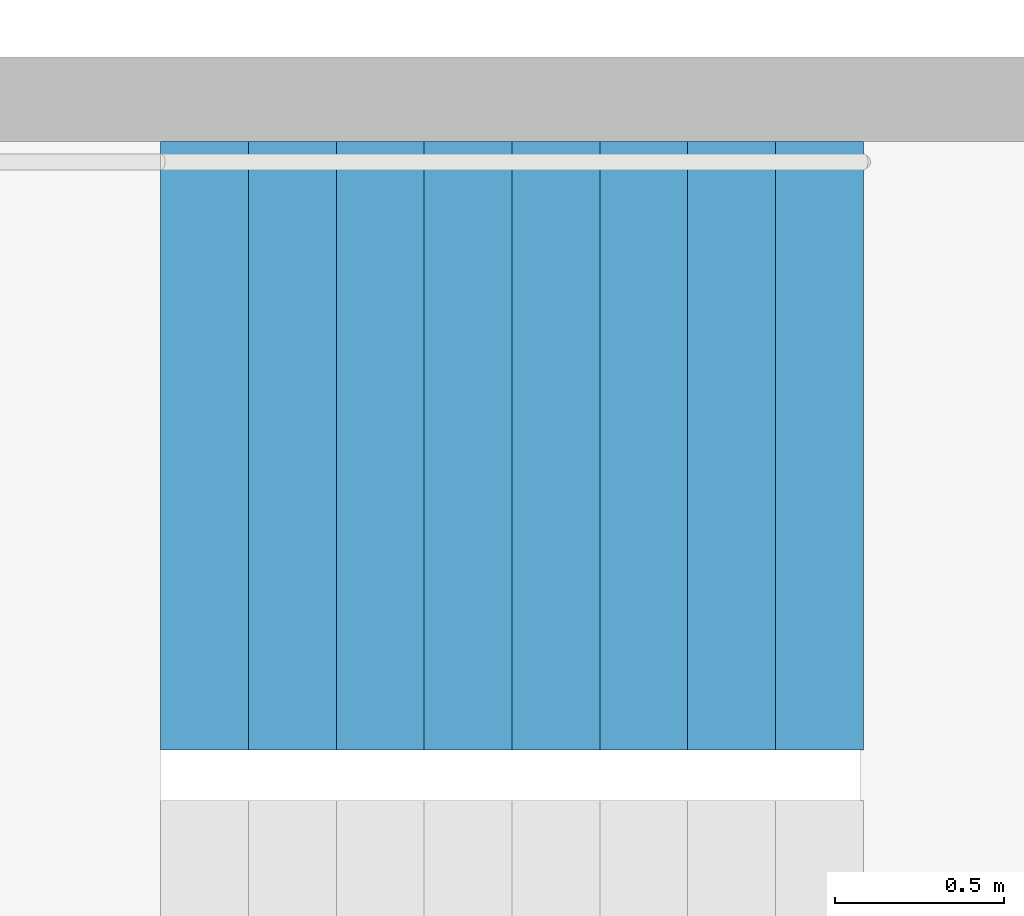
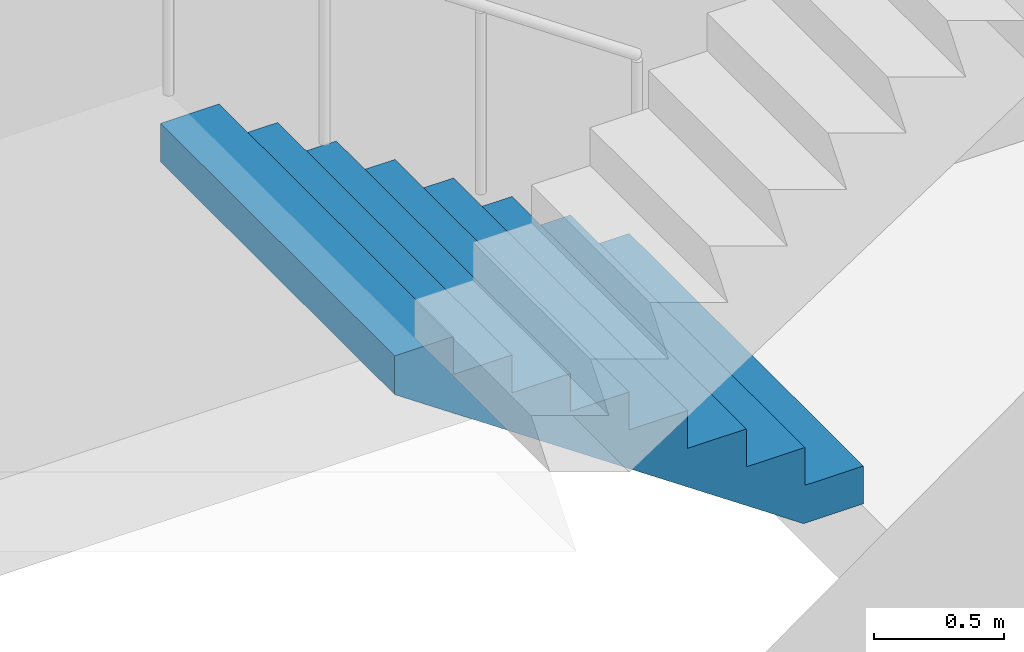
# One storey, part 19 of 26: 1 stair flight, 1 element without a shape of its own.
"""IFC4 building model written with IfcOpenShell, lengths in metres."""

from ifc_helpers import new_model, si_unit, direction, frame, origin, place, context, subcontext, project, spatial, triangles, material, type_object, element, aggregate, save


model = new_model("IFC4")

# Units and contexts
model_context = context("Model", 3, precision=1e-05, world=origin(), true_north=direction((0.0, 1.0)))
body_context = subcontext(model_context, "Body", "Model", "MODEL_VIEW")
ifc_project = project(units=[si_unit("LENGTHUNIT", "METRE"), si_unit("AREAUNIT", "SQUARE_METRE"), si_unit("VOLUMEUNIT", "CUBIC_METRE"), si_unit("PLANEANGLEUNIT", "RADIAN"), si_unit("MASSUNIT", "GRAM", prefix="KILO")], contexts=[model_context])

# Site, building, storey
site_placement = place(None, origin())
site = spatial("IfcSite", under=ifc_project, at=site_placement, CompositionType="ELEMENT")
building_placement = place(site_placement, origin())
building = spatial("IfcBuilding", under=site, at=building_placement, Name="Hakoniwa Tower and Hamabe Station Hall", CompositionType="ELEMENT")
storey_placement = place(building_placement, frame((0.0, 0.0, 131.0)))
storey = spatial("IfcBuildingStorey", under=building, at=storey_placement, Name="L36", CompositionType="ELEMENT", Elevation=131.0)

# Stair, stair flight
ifc_material_1 = material(Name="Concrete C40", Category="concrete")
stair_type = type_object("IfcStairType", Name="ESCAPE STAIR 1800", PredefinedType="HALF_TURN_STAIR", material=ifc_material_1)
stair_placement = place(storey_placement, origin())
stair = element("IfcStair", 1, at=stair_placement, inside=storey, type_object=stair_type, Name="Escape stair ST-2 L36", PredefinedType="HALF_TURN_STAIR")
ifc_material_2 = material(Name="Concrete C40", Category="concrete")
stair_flight_type = type_object("IfcStairFlightType", Name="STAIR FLIGHT 1800", PredefinedType="STRAIGHT", material=ifc_material_2)
stair_flight_placement = place(storey_placement, frame((-23.39990234375, -4.64990234375, 0.0), z_axis=(0.0, 0.0, 1.0), x_axis=(-1.0, 0.0, 0.0)))
stair_flight = element("IfcStairFlight", 2, at=stair_flight_placement, type_object=stair_flight_type, Name="ST-2 flight 1", NumberOfRisers=9, NumberOfTreads=8, PredefinedType="STRAIGHT", RiserHeight=0.177777778, TreadLength=0.26, context=body_context, shape_type="Tessellation", body=[
    triangles([(0.0, 0.89990234375, 0.0), (0.260009765625, 0.89990234375, 0.0), (0.265625, 0.89990234375, 0.0), (0.52001953125, 0.89990234375, 0.174072265625), (0.780029296875, 0.89990234375, 0.351806640625), (1.0400390625, 0.89990234375, 0.529541015625), (1.300048828125, 0.89990234375, 0.707275390625), (1.56005859375, 0.89990234375, 0.885009765625), (1.820068359375, 0.89990234375, 1.062744140625), (2.080078125, 0.89990234375, 1.24072265625), (2.080078125, 0.89990234375, 1.422119140625), (1.820068359375, 0.89990234375, 1.422119140625), (1.820068359375, 0.89990234375, 1.244384765625), (1.56005859375, 0.89990234375, 1.244384765625), (1.56005859375, 0.89990234375, 1.066650390625), (1.300048828125, 0.89990234375, 1.066650390625), (1.300048828125, 0.89990234375, 0.888916015625), (1.0400390625, 0.89990234375, 0.888916015625), (1.0400390625, 0.89990234375, 0.711181640625), (0.780029296875, 0.89990234375, 0.711181640625), (0.780029296875, 0.89990234375, 0.533447265625), (0.52001953125, 0.89990234375, 0.533447265625), (0.52001953125, 0.89990234375, 0.35546875), (0.265625, 0.89990234375, 0.35546875), (0.260009765625, 0.89990234375, 0.35546875), (0.260009765625, 0.89990234375, 0.177734375), (0.0, 0.89990234375, 0.177734375), (0.0, 0.06005859375, 0.0), (0.260009765625, 0.06005859375, 0.0), (0.265625, 0.06005859375, 0.0), (0.52001953125, 0.06005859375, 0.174072265625), (0.780029296875, 0.06005859375, 0.351806640625), (1.0400390625, 0.06005859375, 0.529541015625), (1.300048828125, 0.06005859375, 0.707275390625), (1.56005859375, 0.06005859375, 0.885009765625), (1.820068359375, 0.06005859375, 1.062744140625), (2.080078125, 0.06005859375, 1.24072265625), (2.080078125, 0.06005859375, 1.422119140625), (1.820068359375, 0.06005859375, 1.422119140625), (1.820068359375, 0.06005859375, 1.244384765625), (1.56005859375, 0.06005859375, 1.244384765625), (1.56005859375, 0.06005859375, 1.066650390625), (1.300048828125, 0.06005859375, 1.066650390625), (1.300048828125, 0.06005859375, 0.888916015625), (1.0400390625, 0.06005859375, 0.888916015625), (1.0400390625, 0.06005859375, 0.711181640625), (0.780029296875, 0.06005859375, 0.711181640625), (0.780029296875, 0.06005859375, 0.533447265625), (0.52001953125, 0.06005859375, 0.533447265625), (0.52001953125, 0.06005859375, 0.35546875), (0.265625, 0.06005859375, 0.35546875), (0.260009765625, 0.06005859375, 0.35546875), (0.260009765625, 0.06005859375, 0.177734375), (0.0, 0.06005859375, 0.177734375), (0.0, 0.04296875, 0.0), (0.260009765625, 0.04296875, 0.0), (0.265625, 0.04296875, 0.0), (0.52001953125, 0.04296875, 0.174072265625), (0.780029296875, 0.04296875, 0.351806640625), (1.0400390625, 0.04296875, 0.529541015625), (1.300048828125, 0.04296875, 0.707275390625), (1.56005859375, 0.04296875, 0.885009765625), (1.820068359375, 0.04296875, 1.062744140625), (2.080078125, 0.04296875, 1.24072265625), (2.080078125, 0.04296875, 1.422119140625), (1.820068359375, 0.04296875, 1.422119140625), (1.820068359375, 0.04296875, 1.244384765625), (1.56005859375, 0.04296875, 1.244384765625), (1.56005859375, 0.04296875, 1.066650390625), (1.300048828125, 0.04296875, 1.066650390625), (1.300048828125, 0.04296875, 0.888916015625), (1.0400390625, 0.04296875, 0.888916015625), (1.0400390625, 0.04296875, 0.711181640625), (0.780029296875, 0.04296875, 0.711181640625), (0.780029296875, 0.04296875, 0.533447265625), (0.52001953125, 0.04296875, 0.533447265625), (0.52001953125, 0.04296875, 0.35546875), (0.265625, 0.04296875, 0.35546875), (0.260009765625, 0.04296875, 0.35546875), (0.260009765625, 0.04296875, 0.177734375), (0.0, 0.04296875, 0.177734375), (0.0, 0.025634765625, 0.0), (0.260009765625, 0.025634765625, 0.0), (0.265625, 0.025634765625, 0.0), (0.52001953125, 0.025634765625, 0.174072265625), (0.780029296875, 0.025634765625, 0.351806640625), (1.0400390625, 0.025634765625, 0.529541015625), (1.300048828125, 0.025634765625, 0.707275390625), (1.56005859375, 0.025634765625, 0.885009765625), (1.820068359375, 0.025634765625, 1.062744140625), (2.080078125, 0.025634765625, 1.24072265625), (2.080078125, 0.025634765625, 1.422119140625), (1.820068359375, 0.025634765625, 1.422119140625), (1.820068359375, 0.025634765625, 1.244384765625), (1.56005859375, 0.025634765625, 1.244384765625), (1.56005859375, 0.025634765625, 1.066650390625), (1.300048828125, 0.025634765625, 1.066650390625), (1.300048828125, 0.025634765625, 0.888916015625), (1.0400390625, 0.025634765625, 0.888916015625), (1.0400390625, 0.025634765625, 0.711181640625), (0.780029296875, 0.025634765625, 0.711181640625), (0.780029296875, 0.025634765625, 0.533447265625), (0.52001953125, 0.025634765625, 0.533447265625), (0.52001953125, 0.025634765625, 0.35546875), (0.265625, 0.025634765625, 0.35546875), (0.260009765625, 0.025634765625, 0.35546875), (0.260009765625, 0.025634765625, 0.177734375), (0.0, 0.025634765625, 0.177734375), (0.0, 0.008544921875, 0.0), (0.260009765625, 0.008544921875, 0.0), (0.265625, 0.008544921875, 0.0), (0.52001953125, 0.008544921875, 0.174072265625), (0.780029296875, 0.008544921875, 0.351806640625), (1.0400390625, 0.008544921875, 0.529541015625), (1.300048828125, 0.008544921875, 0.707275390625), (1.56005859375, 0.008544921875, 0.885009765625), (1.820068359375, 0.008544921875, 1.062744140625), (2.080078125, 0.008544921875, 1.24072265625), (2.080078125, 0.008544921875, 1.422119140625), (1.820068359375, 0.008544921875, 1.422119140625), (1.820068359375, 0.008544921875, 1.244384765625), (1.56005859375, 0.008544921875, 1.244384765625), (1.56005859375, 0.008544921875, 1.066650390625), (1.300048828125, 0.008544921875, 1.066650390625), (1.300048828125, 0.008544921875, 0.888916015625), (1.0400390625, 0.008544921875, 0.888916015625), (1.0400390625, 0.008544921875, 0.711181640625), (0.780029296875, 0.008544921875, 0.711181640625), (0.780029296875, 0.008544921875, 0.533447265625), (0.52001953125, 0.008544921875, 0.533447265625), (0.52001953125, 0.008544921875, 0.35546875), (0.265625, 0.008544921875, 0.35546875), (0.260009765625, 0.008544921875, 0.35546875), (0.260009765625, 0.008544921875, 0.177734375), (0.0, 0.008544921875, 0.177734375), (0.0, -0.008544921875, 0.0), (0.260009765625, -0.008544921875, 0.0), (0.265625, -0.008544921875, 0.0), (0.52001953125, -0.008544921875, 0.174072265625), (0.780029296875, -0.008544921875, 0.351806640625), (1.0400390625, -0.008544921875, 0.529541015625), (1.300048828125, -0.008544921875, 0.707275390625), (1.56005859375, -0.008544921875, 0.885009765625), (1.820068359375, -0.008544921875, 1.062744140625), (2.080078125, -0.008544921875, 1.24072265625), (2.080078125, -0.008544921875, 1.422119140625), (1.820068359375, -0.008544921875, 1.422119140625), (1.820068359375, -0.008544921875, 1.244384765625), (1.56005859375, -0.008544921875, 1.244384765625), (1.56005859375, -0.008544921875, 1.066650390625), (1.300048828125, -0.008544921875, 1.066650390625), (1.300048828125, -0.008544921875, 0.888916015625), (1.0400390625, -0.008544921875, 0.888916015625), (1.0400390625, -0.008544921875, 0.711181640625), (0.780029296875, -0.008544921875, 0.711181640625), (0.780029296875, -0.008544921875, 0.533447265625), (0.52001953125, -0.008544921875, 0.533447265625), (0.52001953125, -0.008544921875, 0.35546875), (0.265625, -0.008544921875, 0.35546875), (0.260009765625, -0.008544921875, 0.35546875), (0.260009765625, -0.008544921875, 0.177734375), (0.0, -0.008544921875, 0.177734375), (0.0, -0.025634765625, 0.0), (0.260009765625, -0.025634765625, 0.0), (0.265625, -0.025634765625, 0.0), (0.52001953125, -0.025634765625, 0.174072265625), (0.780029296875, -0.025634765625, 0.351806640625), (1.0400390625, -0.025634765625, 0.529541015625), (1.300048828125, -0.025634765625, 0.707275390625), (1.56005859375, -0.025634765625, 0.885009765625), (1.820068359375, -0.025634765625, 1.062744140625), (2.080078125, -0.025634765625, 1.24072265625), (2.080078125, -0.025634765625, 1.422119140625), (1.820068359375, -0.025634765625, 1.422119140625), (1.820068359375, -0.025634765625, 1.244384765625), (1.56005859375, -0.025634765625, 1.244384765625), (1.56005859375, -0.025634765625, 1.066650390625), (1.300048828125, -0.025634765625, 1.066650390625), (1.300048828125, -0.025634765625, 0.888916015625), (1.0400390625, -0.025634765625, 0.888916015625), (1.0400390625, -0.025634765625, 0.711181640625), (0.780029296875, -0.025634765625, 0.711181640625), (0.780029296875, -0.025634765625, 0.533447265625), (0.52001953125, -0.025634765625, 0.533447265625), (0.52001953125, -0.025634765625, 0.35546875), (0.265625, -0.025634765625, 0.35546875), (0.260009765625, -0.025634765625, 0.35546875), (0.260009765625, -0.025634765625, 0.177734375), (0.0, -0.025634765625, 0.177734375), (0.0, -0.04296875, 0.0), (0.260009765625, -0.04296875, 0.0), (0.265625, -0.04296875, 0.0), (0.52001953125, -0.04296875, 0.174072265625), (0.780029296875, -0.04296875, 0.351806640625), (1.0400390625, -0.04296875, 0.529541015625), (1.300048828125, -0.04296875, 0.707275390625), (1.56005859375, -0.04296875, 0.885009765625), (1.820068359375, -0.04296875, 1.062744140625), (2.080078125, -0.04296875, 1.24072265625), (2.080078125, -0.04296875, 1.422119140625), (1.820068359375, -0.04296875, 1.422119140625), (1.820068359375, -0.04296875, 1.244384765625), (1.56005859375, -0.04296875, 1.244384765625), (1.56005859375, -0.04296875, 1.066650390625), (1.300048828125, -0.04296875, 1.066650390625), (1.300048828125, -0.04296875, 0.888916015625), (1.0400390625, -0.04296875, 0.888916015625), (1.0400390625, -0.04296875, 0.711181640625), (0.780029296875, -0.04296875, 0.711181640625), (0.780029296875, -0.04296875, 0.533447265625), (0.52001953125, -0.04296875, 0.533447265625), (0.52001953125, -0.04296875, 0.35546875), (0.265625, -0.04296875, 0.35546875), (0.260009765625, -0.04296875, 0.35546875), (0.260009765625, -0.04296875, 0.177734375), (0.0, -0.04296875, 0.177734375), (0.0, -0.06005859375, 0.0), (0.260009765625, -0.06005859375, 0.0), (0.265625, -0.06005859375, 0.0), (0.52001953125, -0.06005859375, 0.174072265625), (0.780029296875, -0.06005859375, 0.351806640625), (1.0400390625, -0.06005859375, 0.529541015625), (1.300048828125, -0.06005859375, 0.707275390625), (1.56005859375, -0.06005859375, 0.885009765625), (1.820068359375, -0.06005859375, 1.062744140625), (2.080078125, -0.06005859375, 1.24072265625), (2.080078125, -0.06005859375, 1.422119140625), (1.820068359375, -0.06005859375, 1.422119140625), (1.820068359375, -0.06005859375, 1.244384765625), (1.56005859375, -0.06005859375, 1.244384765625), (1.56005859375, -0.06005859375, 1.066650390625), (1.300048828125, -0.06005859375, 1.066650390625), (1.300048828125, -0.06005859375, 0.888916015625), (1.0400390625, -0.06005859375, 0.888916015625), (1.0400390625, -0.06005859375, 0.711181640625), (0.780029296875, -0.06005859375, 0.711181640625), (0.780029296875, -0.06005859375, 0.533447265625), (0.52001953125, -0.06005859375, 0.533447265625), (0.52001953125, -0.06005859375, 0.35546875), (0.265625, -0.06005859375, 0.35546875), (0.260009765625, -0.06005859375, 0.35546875), (0.260009765625, -0.06005859375, 0.177734375), (0.0, -0.06005859375, 0.177734375), (0.0, -0.89990234375, 0.0), (0.260009765625, -0.89990234375, 0.0), (0.265625, -0.89990234375, 0.0), (0.52001953125, -0.89990234375, 0.174072265625), (0.780029296875, -0.89990234375, 0.351806640625), (1.0400390625, -0.89990234375, 0.529541015625), (1.300048828125, -0.89990234375, 0.707275390625), (1.56005859375, -0.89990234375, 0.885009765625), (1.820068359375, -0.89990234375, 1.062744140625), (2.080078125, -0.89990234375, 1.24072265625), (2.080078125, -0.89990234375, 1.422119140625), (1.820068359375, -0.89990234375, 1.422119140625), (1.820068359375, -0.89990234375, 1.244384765625), (1.56005859375, -0.89990234375, 1.244384765625), (1.56005859375, -0.89990234375, 1.066650390625), (1.300048828125, -0.89990234375, 1.066650390625), (1.300048828125, -0.89990234375, 0.888916015625), (1.0400390625, -0.89990234375, 0.888916015625), (1.0400390625, -0.89990234375, 0.711181640625), (0.780029296875, -0.89990234375, 0.711181640625), (0.780029296875, -0.89990234375, 0.533447265625), (0.52001953125, -0.89990234375, 0.533447265625), (0.52001953125, -0.89990234375, 0.35546875), (0.265625, -0.89990234375, 0.35546875), (0.260009765625, -0.89990234375, 0.35546875), (0.260009765625, -0.89990234375, 0.177734375), (0.0, -0.89990234375, 0.177734375)], [[2, 27, 26], [245, 269, 270], [2, 1, 27], [245, 270, 244], [3, 25, 24], [246, 267, 268], [3, 26, 25], [246, 268, 269], [3, 2, 26], [246, 269, 245], [4, 24, 23], [247, 266, 267], [4, 3, 24], [247, 267, 246], [5, 22, 21], [248, 264, 265], [5, 23, 22], [248, 265, 266], [5, 4, 23], [248, 266, 247], [6, 20, 19], [249, 262, 263], [6, 21, 20], [249, 263, 264], [6, 5, 21], [249, 264, 248], [7, 18, 17], [250, 260, 261], [7, 19, 18], [250, 261, 262], [7, 6, 19], [250, 262, 249], [8, 16, 15], [251, 258, 259], [8, 17, 16], [251, 259, 260], [8, 7, 17], [251, 260, 250], [9, 14, 13], [252, 256, 257], [9, 15, 14], [252, 257, 258], [9, 8, 15], [252, 258, 251], [10, 12, 11], [253, 254, 255], [10, 13, 12], [253, 255, 256], [10, 9, 13], [253, 256, 252], [1, 2, 29], [1, 29, 28], [28, 29, 56], [28, 56, 55], [55, 56, 83], [55, 83, 82], [82, 83, 110], [82, 110, 109], [109, 110, 137], [109, 137, 136], [136, 137, 164], [136, 164, 163], [163, 164, 191], [163, 191, 190], [190, 191, 218], [190, 218, 217], [217, 218, 245], [217, 245, 244], [2, 3, 30], [2, 30, 29], [29, 30, 57], [29, 57, 56], [56, 57, 84], [56, 84, 83], [83, 84, 111], [83, 111, 110], [110, 111, 138], [110, 138, 137], [137, 138, 165], [137, 165, 164], [164, 165, 192], [164, 192, 191], [191, 192, 219], [191, 219, 218], [218, 219, 246], [218, 246, 245], [3, 4, 31], [3, 31, 30], [30, 31, 58], [30, 58, 57], [57, 58, 85], [57, 85, 84], [84, 85, 112], [84, 112, 111], [111, 112, 139], [111, 139, 138], [138, 139, 166], [138, 166, 165], [165, 166, 193], [165, 193, 192], [192, 193, 220], [192, 220, 219], [219, 220, 247], [219, 247, 246], [4, 5, 32], [4, 32, 31], [31, 32, 59], [31, 59, 58], [58, 59, 86], [58, 86, 85], [85, 86, 113], [85, 113, 112], [112, 113, 140], [112, 140, 139], [139, 140, 167], [139, 167, 166], [166, 167, 194], [166, 194, 193], [193, 194, 221], [193, 221, 220], [220, 221, 248], [220, 248, 247], [5, 6, 33], [5, 33, 32], [32, 33, 60], [32, 60, 59], [59, 60, 87], [59, 87, 86], [86, 87, 114], [86, 114, 113], [113, 114, 141], [113, 141, 140], [140, 141, 168], [140, 168, 167], [167, 168, 195], [167, 195, 194], [194, 195, 222], [194, 222, 221], [221, 222, 249], [221, 249, 248], [6, 7, 34], [6, 34, 33], [33, 34, 61], [33, 61, 60], [60, 61, 88], [60, 88, 87], [87, 88, 115], [87, 115, 114], [114, 115, 142], [114, 142, 141], [141, 142, 169], [141, 169, 168], [168, 169, 196], [168, 196, 195], [195, 196, 223], [195, 223, 222], [222, 223, 250], [222, 250, 249], [7, 8, 35], [7, 35, 34], [34, 35, 62], [34, 62, 61], [61, 62, 89], [61, 89, 88], [88, 89, 116], [88, 116, 115], [115, 116, 143], [115, 143, 142], [142, 143, 170], [142, 170, 169], [169, 170, 197], [169, 197, 196], [196, 197, 224], [196, 224, 223], [223, 224, 251], [223, 251, 250], [8, 9, 36], [8, 36, 35], [35, 36, 63], [35, 63, 62], [62, 63, 90], [62, 90, 89], [89, 90, 117], [89, 117, 116], [116, 117, 144], [116, 144, 143], [143, 144, 171], [143, 171, 170], [170, 171, 198], [170, 198, 197], [197, 198, 225], [197, 225, 224], [224, 225, 252], [224, 252, 251], [9, 10, 37], [9, 37, 36], [36, 37, 64], [36, 64, 63], [63, 64, 91], [63, 91, 90], [90, 91, 118], [90, 118, 117], [117, 118, 145], [117, 145, 144], [144, 145, 172], [144, 172, 171], [171, 172, 199], [171, 199, 198], [198, 199, 226], [198, 226, 225], [225, 226, 253], [225, 253, 252], [10, 11, 38], [10, 38, 37], [37, 38, 65], [37, 65, 64], [64, 65, 92], [64, 92, 91], [91, 92, 119], [91, 119, 118], [118, 119, 146], [118, 146, 145], [145, 146, 173], [145, 173, 172], [172, 173, 200], [172, 200, 199], [199, 200, 227], [199, 227, 226], [226, 227, 254], [226, 254, 253], [11, 12, 39], [11, 39, 38], [38, 39, 66], [38, 66, 65], [65, 66, 93], [65, 93, 92], [92, 93, 120], [92, 120, 119], [119, 120, 147], [119, 147, 146], [146, 147, 174], [146, 174, 173], [173, 174, 201], [173, 201, 200], [200, 201, 228], [200, 228, 227], [227, 228, 255], [227, 255, 254], [12, 13, 40], [12, 40, 39], [39, 40, 67], [39, 67, 66], [66, 67, 94], [66, 94, 93], [93, 94, 121], [93, 121, 120], [120, 121, 148], [120, 148, 147], [147, 148, 175], [147, 175, 174], [174, 175, 202], [174, 202, 201], [201, 202, 229], [201, 229, 228], [228, 229, 256], [228, 256, 255], [13, 14, 41], [13, 41, 40], [40, 41, 68], [40, 68, 67], [67, 68, 95], [67, 95, 94], [94, 95, 122], [94, 122, 121], [121, 122, 149], [121, 149, 148], [148, 149, 176], [148, 176, 175], [175, 176, 203], [175, 203, 202], [202, 203, 230], [202, 230, 229], [229, 230, 257], [229, 257, 256], [14, 15, 42], [14, 42, 41], [41, 42, 69], [41, 69, 68], [68, 69, 96], [68, 96, 95], [95, 96, 123], [95, 123, 122], [122, 123, 150], [122, 150, 149], [149, 150, 177], [149, 177, 176], [176, 177, 204], [176, 204, 203], [203, 204, 231], [203, 231, 230], [230, 231, 258], [230, 258, 257], [15, 16, 43], [15, 43, 42], [42, 43, 70], [42, 70, 69], [69, 70, 97], [69, 97, 96], [96, 97, 124], [96, 124, 123], [123, 124, 151], [123, 151, 150], [150, 151, 178], [150, 178, 177], [177, 178, 205], [177, 205, 204], [204, 205, 232], [204, 232, 231], [231, 232, 259], [231, 259, 258], [16, 17, 44], [16, 44, 43], [43, 44, 71], [43, 71, 70], [70, 71, 98], [70, 98, 97], [97, 98, 125], [97, 125, 124], [124, 125, 152], [124, 152, 151], [151, 152, 179], [151, 179, 178], [178, 179, 206], [178, 206, 205], [205, 206, 233], [205, 233, 232], [232, 233, 260], [232, 260, 259], [17, 18, 45], [17, 45, 44], [44, 45, 72], [44, 72, 71], [71, 72, 99], [71, 99, 98], [98, 99, 126], [98, 126, 125], [125, 126, 153], [125, 153, 152], [152, 153, 180], [152, 180, 179], [179, 180, 207], [179, 207, 206], [206, 207, 234], [206, 234, 233], [233, 234, 261], [233, 261, 260], [18, 19, 46], [18, 46, 45], [45, 46, 73], [45, 73, 72], [72, 73, 100], [72, 100, 99], [99, 100, 127], [99, 127, 126], [126, 127, 154], [126, 154, 153], [153, 154, 181], [153, 181, 180], [180, 181, 208], [180, 208, 207], [207, 208, 235], [207, 235, 234], [234, 235, 262], [234, 262, 261], [19, 20, 47], [19, 47, 46], [46, 47, 74], [46, 74, 73], [73, 74, 101], [73, 101, 100], [100, 101, 128], [100, 128, 127], [127, 128, 155], [127, 155, 154], [154, 155, 182], [154, 182, 181], [181, 182, 209], [181, 209, 208], [208, 209, 236], [208, 236, 235], [235, 236, 263], [235, 263, 262], [20, 21, 48], [20, 48, 47], [47, 48, 75], [47, 75, 74], [74, 75, 102], [74, 102, 101], [101, 102, 129], [101, 129, 128], [128, 129, 156], [128, 156, 155], [155, 156, 183], [155, 183, 182], [182, 183, 210], [182, 210, 209], [209, 210, 237], [209, 237, 236], [236, 237, 264], [236, 264, 263], [21, 22, 49], [21, 49, 48], [48, 49, 76], [48, 76, 75], [75, 76, 103], [75, 103, 102], [102, 103, 130], [102, 130, 129], [129, 130, 157], [129, 157, 156], [156, 157, 184], [156, 184, 183], [183, 184, 211], [183, 211, 210], [210, 211, 238], [210, 238, 237], [237, 238, 265], [237, 265, 264], [22, 23, 50], [22, 50, 49], [49, 50, 77], [49, 77, 76], [76, 77, 104], [76, 104, 103], [103, 104, 131], [103, 131, 130], [130, 131, 158], [130, 158, 157], [157, 158, 185], [157, 185, 184], [184, 185, 212], [184, 212, 211], [211, 212, 239], [211, 239, 238], [238, 239, 266], [238, 266, 265], [23, 24, 51], [23, 51, 50], [50, 51, 78], [50, 78, 77], [77, 78, 105], [77, 105, 104], [104, 105, 132], [104, 132, 131], [131, 132, 159], [131, 159, 158], [158, 159, 186], [158, 186, 185], [185, 186, 213], [185, 213, 212], [212, 213, 240], [212, 240, 239], [239, 240, 267], [239, 267, 266], [24, 25, 52], [24, 52, 51], [51, 52, 79], [51, 79, 78], [78, 79, 106], [78, 106, 105], [105, 106, 133], [105, 133, 132], [132, 133, 160], [132, 160, 159], [159, 160, 187], [159, 187, 186], [186, 187, 214], [186, 214, 213], [213, 214, 241], [213, 241, 240], [240, 241, 268], [240, 268, 267], [25, 26, 53], [25, 53, 52], [52, 53, 80], [52, 80, 79], [79, 80, 107], [79, 107, 106], [106, 107, 134], [106, 134, 133], [133, 134, 161], [133, 161, 160], [160, 161, 188], [160, 188, 187], [187, 188, 215], [187, 215, 214], [214, 215, 242], [214, 242, 241], [241, 242, 269], [241, 269, 268], [26, 27, 54], [26, 54, 53], [53, 54, 81], [53, 81, 80], [80, 81, 108], [80, 108, 107], [107, 108, 135], [107, 135, 134], [134, 135, 162], [134, 162, 161], [161, 162, 189], [161, 189, 188], [188, 189, 216], [188, 216, 215], [215, 216, 243], [215, 243, 242], [242, 243, 270], [242, 270, 269], [27, 1, 28], [27, 28, 54], [54, 28, 55], [54, 55, 81], [81, 55, 82], [81, 82, 108], [108, 82, 109], [108, 109, 135], [135, 109, 136], [135, 136, 162], [162, 136, 163], [162, 163, 189], [189, 163, 190], [189, 190, 216], [216, 190, 217], [216, 217, 243], [243, 217, 244], [243, 244, 270]], closed=True),
])
aggregate(stair, [stair_flight])

save(model, "model.ifc")
